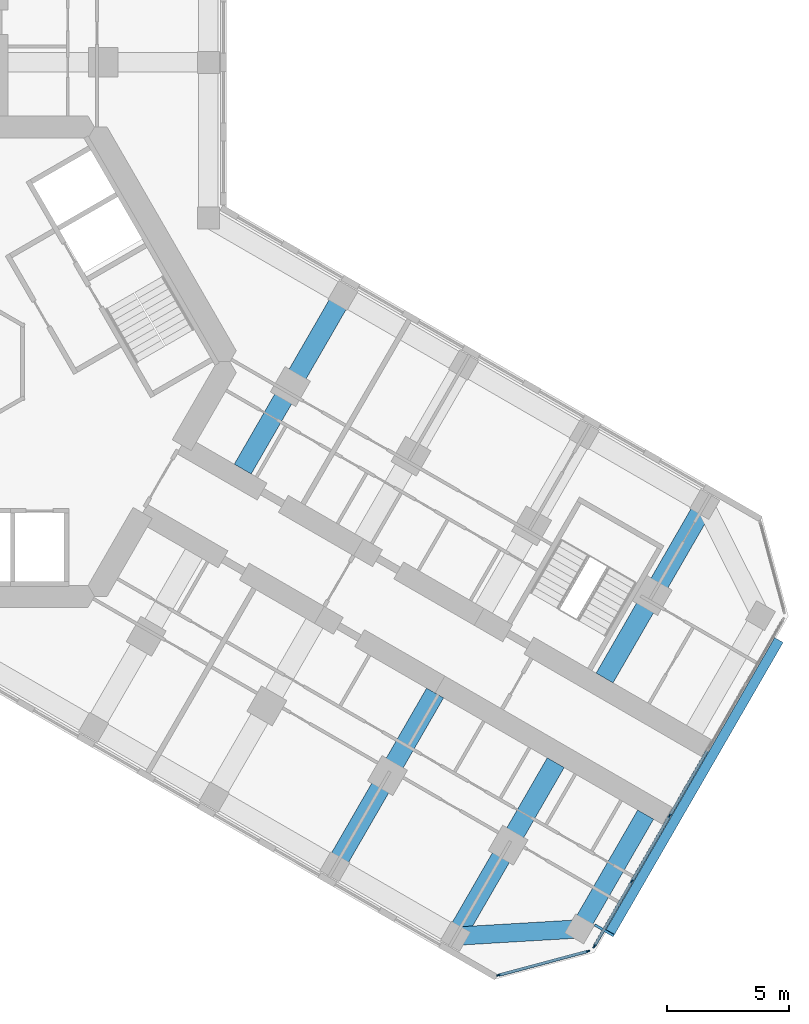
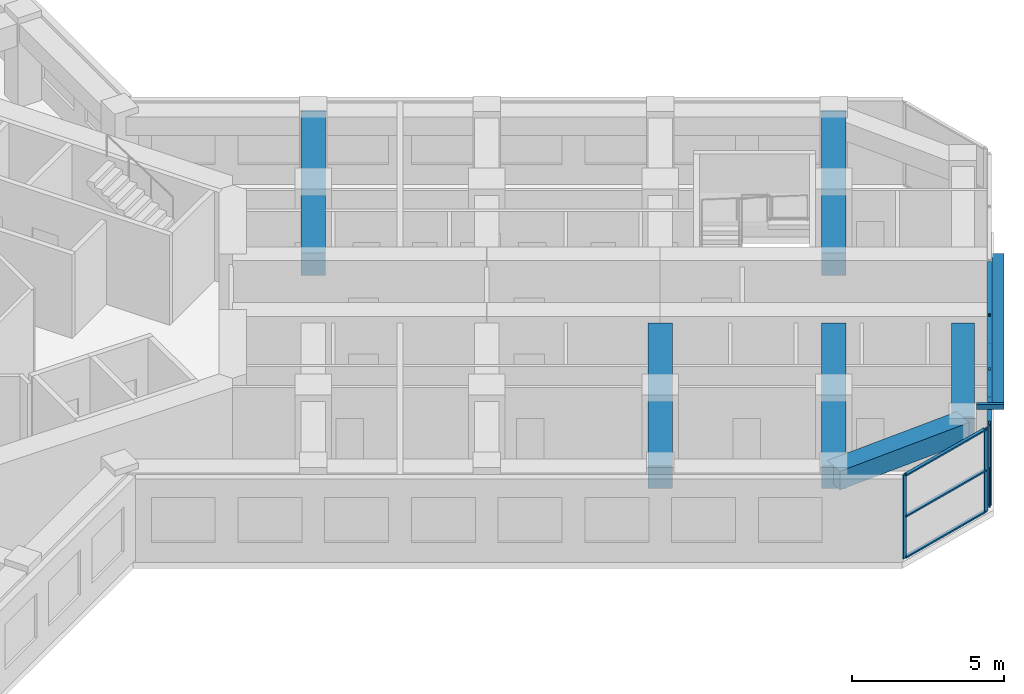
# One storey, part 5 of 19: 16 members, 6 beams, 2 elements without a shape of their own.
"""IFC4 building model written with IfcOpenShell, lengths in metres."""

from ifc_helpers import new_model, si_unit, direction, frame, origin, origin_2d, place, context, subcontext, project, spatial, rectangle, hollow_rectangle, extrude, material, material_profile, profile_set, type_object, element, aggregate, save


model = new_model("IFC4")

# Units and contexts
model_context = context("Model", 3, precision=1e-05, world=origin(), true_north=direction((0.0, 1.0)))
body_context = subcontext(model_context, "Body", "Model", "MODEL_VIEW")
ifc_project = project(units=[si_unit("LENGTHUNIT", "METRE"), si_unit("AREAUNIT", "SQUARE_METRE"), si_unit("VOLUMEUNIT", "CUBIC_METRE"), si_unit("PLANEANGLEUNIT", "RADIAN"), si_unit("MASSUNIT", "GRAM", prefix="KILO")], contexts=[model_context])

# Site, building, storey
site_placement = place(None, origin())
site = spatial("IfcSite", under=ifc_project, at=site_placement, CompositionType="ELEMENT")
building_placement = place(site_placement, origin())
building = spatial("IfcBuilding", under=site, at=building_placement, Name="Kosmar Iwan School Tower", CompositionType="ELEMENT")
storey_placement = place(building_placement, frame((0.0, 0.0, 149.0)))
storey = spatial("IfcBuildingStorey", under=building, at=storey_placement, Name="L37", CompositionType="ELEMENT", Elevation=149.0)

# Members
ifc_material_1 = material(Name="Black anodised aluminium", Category="aluminium")
ifc_material_profile_1 = material_profile(ifc_material_1, rectangle(XDim=0.10009765625, YDim=0.39990234375, at=origin_2d()), Name="FIN 100x400")
ifc_profile_set_1 = profile_set([ifc_material_profile_1], Name="Black anodised aluminium")
member_type_1 = type_object("IfcMemberType", Name="Diagonal fin 100x400", PredefinedType="USERDEFINED", material=ifc_profile_set_1)
member_1_placement = place(storey_placement, frame((33.54345703125, -11.40087890625, -0.14990234375), z_axis=(-0.483795538458, -0.837973939202, 0.252470897702), x_axis=(0.126233699175, 0.218647221293, 0.967604488318)))
element("IfcMember", 1, at=member_1_placement, inside=storey, type_object=member_type_1, Name="Diagonal fin L37-F03", ObjectType="FIN", PredefinedType="USERDEFINED", context=body_context, shape_type="SweptSolid", body=[
    extrude(rectangle(XDim=0.10009765625, YDim=0.39990234375, at=origin_2d()), origin(), (0.0, 0.0, 1.0), 14.258544921875),
])
ifc_material_2 = material(Name="Steel S355", Category="steel")
ifc_material_profile_2 = material_profile(ifc_material_2, hollow_rectangle(XDim=0.10009765625, YDim=0.199951171875, WallThickness=0.008056640625, at=origin_2d()), Name="RHS 200x100x8")
ifc_profile_set_2 = profile_set([ifc_material_profile_2], Name="Steel S355")
member_type_2 = type_object("IfcMemberType", Name="Fin bracket RHS 200x100", PredefinedType="USERDEFINED", material=ifc_profile_set_2)
member_2_placement = place(storey_placement, frame((26.01318359375, -23.0439453125, 3.47509765625), z_axis=(0.866013897511, -0.50001992892, 0.0), x_axis=(0.50001992892, 0.866013897511, 0.0)))
element("IfcMember", 2, at=member_2_placement, inside=storey, type_object=member_type_2, Name="Fin bracket L38", ObjectType="FIN BRACKET", PredefinedType="USERDEFINED", context=body_context, shape_type="SweptSolid", body=[
    extrude(hollow_rectangle(XDim=0.10009765625, YDim=0.199951171875, WallThickness=0.008056640625, at=origin_2d()), origin(), (0.0, 0.0, 1.0), 0.89990234375),
])

# Curtain wall, members
ifc_material_3 = material(Name="Dark glass in black aluminium frame", Category="aluminium")
curtain_wall_type_1 = type_object("IfcCurtainWallType", Name="Chamfer curtain wall dark glass", PredefinedType="USERDEFINED", material=ifc_material_3)
curtain_wall_1_placement = place(storey_placement, origin())
curtain_wall_1 = element("IfcCurtainWall", 3, at=curtain_wall_1_placement, inside=storey, type_object=curtain_wall_type_1, Name="Curtain wall L37-F02", ObjectType="FACETED CURTAIN WALL", PredefinedType="USERDEFINED")
ifc_material_4 = material(Name="Black anodised aluminium", Category="aluminium")
ifc_material_profile_3 = material_profile(ifc_material_4, rectangle(XDim=0.06005859375, YDim=0.159912109375, at=origin_2d()), Name="MULLION 60x160")
ifc_profile_set_3 = profile_set([ifc_material_profile_3], Name="Black anodised aluminium")
member_type_3 = type_object("IfcMemberType", Name="Mullion 60x160", PredefinedType="MULLION", material=ifc_profile_set_3)
member_3_placement = place(storey_placement, frame((22.0830078125, -25.102294921875, 0.0), z_axis=(0.0, 0.0, 1.0), x_axis=(-0.258818861462, 0.965925875495, 0.0)))
member_3 = element("IfcMember", 4, at=member_3_placement, type_object=member_type_3, Name="CW2 mullion 1", PredefinedType="MULLION", context=body_context, shape_type="SweptSolid", body=[
    extrude(rectangle(XDim=0.06005859375, YDim=0.159912109375, at=origin_2d()), origin(), (0.0, 0.0, 1.0), 3.35009765625),
])
member_4_placement = place(storey_placement, frame((25.733154296875, -24.124267578125, 0.0), z_axis=(0.0, 0.0, 1.0), x_axis=(-0.258818861462, 0.965925875495, 0.0)))
member_4 = element("IfcMember", 5, at=member_4_placement, type_object=member_type_3, Name="CW2 mullion 2", PredefinedType="MULLION", context=body_context, shape_type="SweptSolid", body=[
    extrude(rectangle(XDim=0.06005859375, YDim=0.159912109375, at=origin_2d()), origin(), (0.0, 0.0, 1.0), 3.35009765625),
])

ifc_material_5 = material(Name="Dark glass in black aluminium frame", Category="aluminium")
curtain_wall_type_2 = type_object("IfcCurtainWallType", Name="Tower curtain wall dark glass", PredefinedType="USERDEFINED", material=ifc_material_5)
curtain_wall_2_placement = place(storey_placement, origin())
curtain_wall_2 = element("IfcCurtainWall", 6, at=curtain_wall_2_placement, inside=storey, type_object=curtain_wall_type_2, Name="Curtain wall L37-F03", ObjectType="UNITISED CURTAIN WALL", PredefinedType="USERDEFINED")
member_5_placement = place(storey_placement, frame((25.9970703125, -23.921630859375, 0.0), z_axis=(0.0, 0.0, 1.0), x_axis=(-0.866025405329, 0.499999997325, 0.0)))
member_5 = element("IfcMember", 7, at=member_5_placement, type_object=member_type_3, Name="CW1 mullion 1", PredefinedType="MULLION", context=body_context, shape_type="SweptSolid", body=[
    extrude(rectangle(XDim=0.06005859375, YDim=0.159912109375, at=origin_2d()), origin(), (0.0, 0.0, 1.0), 3.35009765625),
])
member_6_placement = place(storey_placement, frame((27.53173828125, -21.263671875, 0.0), z_axis=(0.0, 0.0, 1.0), x_axis=(-0.866025405329, 0.499999997325, 0.0)))
member_6 = element("IfcMember", 8, at=member_6_placement, type_object=member_type_3, Name="CW1 mullion 2", PredefinedType="MULLION", context=body_context, shape_type="SweptSolid", body=[
    extrude(rectangle(XDim=0.06005859375, YDim=0.159912109375, at=origin_2d()), origin(), (0.0, 0.0, 1.0), 3.35009765625),
])
member_7_placement = place(storey_placement, frame((29.081298828125, -18.57958984375, 0.0), z_axis=(0.0, 0.0, 1.0), x_axis=(-0.866025405329, 0.499999997325, 0.0)))
member_7 = element("IfcMember", 9, at=member_7_placement, type_object=member_type_3, Name="CW1 mullion 3", PredefinedType="MULLION", context=body_context, shape_type="SweptSolid", body=[
    extrude(rectangle(XDim=0.06005859375, YDim=0.159912109375, at=origin_2d()), origin(), (0.0, 0.0, 1.0), 3.35009765625),
])

# Beams
ifc_material_6 = material(Name="Concrete C50/60", Category="concrete")
ifc_material_profile_4 = material_profile(ifc_material_6, rectangle(XDim=0.75, YDim=0.75, at=origin_2d()), Name="RC 750x750")
ifc_profile_set_4 = profile_set([ifc_material_profile_4], Name="Concrete C50/60")
beam_type_1 = type_object("IfcBeamType", Name="RC tip beam 750x750", PredefinedType="BEAM", material=ifc_profile_set_4)
beam_1_placement = place(storey_placement, frame((20.31787109375, -23.508544921875, 2.97509765625), z_axis=(0.998260616478, 0.058955420358, 0.0), x_axis=(-0.058955420358, 0.998260616478, 0.0)))
element("IfcBeam", 10, at=beam_1_placement, inside=storey, type_object=beam_type_1, Name="Tip beam CR", PredefinedType="BEAM", context=body_context, shape_type="SweptSolid", body=[
    extrude(rectangle(XDim=0.75, YDim=0.75, at=origin_2d()), origin(), (0.0, 0.0, 1.0), 5.08935546875),
])
beam_2_placement = place(storey_placement, frame((25.3984375, -23.20849609375, 2.97509765625), z_axis=(0.499995103361, 0.866028230842, 0.0), x_axis=(-0.866028230842, 0.499995103361, 0.0)))
element("IfcBeam", 11, at=beam_2_placement, inside=storey, type_object=beam_type_1, Name="Tip beam CR to corridor wall", PredefinedType="BEAM", context=body_context, shape_type="SweptSolid", body=[
    extrude(rectangle(XDim=0.75, YDim=0.75, at=origin_2d()), origin(), (0.0, 0.0, 1.0), 5.39990234375),
])
ifc_material_7 = material(Name="Concrete C50/60", Category="concrete")
ifc_material_profile_5 = material_profile(ifc_material_7, rectangle(XDim=0.800048828125, YDim=0.89990234375, at=origin_2d()), Name="RC 800x900")
ifc_profile_set_5 = profile_set([ifc_material_profile_5], Name="Concrete C50/60")
beam_type_2 = type_object("IfcBeamType", Name="RC transverse beam 800x900", PredefinedType="BEAM", material=ifc_profile_set_5)
for number, where, z_axis, x_axis, name in (
    (12, (15.708740234375, 2.70849609375, 2.89990234375), (-0.499978459874, -0.866037839625, 0.0), (0.866037839625, -0.499978459874, 0.0), "Transverse beam CL1"),
    (13, (30.517822265625, -5.841552734375, 2.89990234375), (-0.500013681986, -0.866017504342, 0.0), (0.866017504342, -0.500013681986, 0.0), "Transverse beam CL4"),
    (14, (15.381591796875, -20.658447265625, 2.89990234375), (0.49999135188, 0.866030396721, 0.0), (-0.866030396721, 0.49999135188, 0.0), "Transverse beam CR3"),
    (15, (20.31787109375, -23.508544921875, 2.89990234375), (0.499978459874, 0.866037839625, 0.0), (-0.866037839625, 0.499978459874, 0.0), "Transverse beam CR4"),
):
    element("IfcBeam", number, at=place(storey_placement, frame(where, z_axis=z_axis, x_axis=x_axis)), inside=storey, type_object=beam_type_2, Name=name, PredefinedType="BEAM", context=body_context, shape_type="SweptSolid", body=[
        extrude(rectangle(XDim=0.800048828125, YDim=0.89990234375, at=origin_2d()), origin(), (0.0, 0.0, 1.0), 8.199951171875),
    ])

# Member
ifc_material_8 = material(Name="Black anodised aluminium", Category="aluminium")
ifc_material_profile_6 = material_profile(ifc_material_8, rectangle(XDim=0.1201171875, YDim=0.06005859375, at=origin_2d()), Name="TRANSOM 60x120")
ifc_profile_set_6 = profile_set([ifc_material_profile_6], Name="Black anodised aluminium")
member_type_4 = type_object("IfcMemberType", Name="Transom 60x120", PredefinedType="USERDEFINED", material=ifc_profile_set_6)
member_8_placement = place(storey_placement, frame((22.11181640625, -25.094482421875, 0.030029296875), z_axis=(0.965923731726, 0.258826861991, 0.0), x_axis=(-0.258826861991, 0.965923731726, 0.0)))
member_8 = element("IfcMember", 16, at=member_8_placement, type_object=member_type_4, Name="CW2 transom 1.1", ObjectType="TRANSOM", PredefinedType="USERDEFINED", context=body_context, shape_type="SweptSolid", body=[
    extrude(rectangle(XDim=0.1201171875, YDim=0.06005859375, at=origin_2d()), origin(), (0.0, 0.0, 1.0), 3.71923828125),
])

member_9_placement = place(storey_placement, frame((22.11181640625, -25.094482421875, 1.675048828125), z_axis=(0.965923731726, 0.258826861991, 0.0), x_axis=(-0.258826861991, 0.965923731726, 0.0)))
member_9 = element("IfcMember", 17, at=member_9_placement, type_object=member_type_4, Name="CW2 transom 1.2", ObjectType="TRANSOM", PredefinedType="USERDEFINED", context=body_context, shape_type="SweptSolid", body=[
    extrude(rectangle(XDim=0.1201171875, YDim=0.06005859375, at=origin_2d()), origin(), (0.0, 0.0, 1.0), 3.71923828125),
])

member_10_placement = place(storey_placement, frame((22.11181640625, -25.094482421875, 3.320068359375), z_axis=(0.965923731726, 0.258826861991, 0.0), x_axis=(-0.258826861991, 0.965923731726, 0.0)))
member_10 = element("IfcMember", 18, at=member_10_placement, type_object=member_type_4, Name="CW2 transom 1.3", ObjectType="TRANSOM", PredefinedType="USERDEFINED", context=body_context, shape_type="SweptSolid", body=[
    extrude(rectangle(XDim=0.1201171875, YDim=0.06005859375, at=origin_2d()), origin(), (0.0, 0.0, 1.0), 3.71923828125),
])

aggregate(curtain_wall_1, [member_3, member_4, member_8, member_9, member_10])

member_11_placement = place(storey_placement, frame((26.01220703125, -23.895751953125, 0.030029296875), z_axis=(0.499986971506, 0.866032925658, 0.0), x_axis=(-0.866032925658, 0.499986971506, 0.0)))
member_11 = element("IfcMember", 19, at=member_11_placement, type_object=member_type_4, Name="CW1 transom 1.1", ObjectType="TRANSOM", PredefinedType="USERDEFINED", context=body_context, shape_type="SweptSolid", body=[
    extrude(rectangle(XDim=0.1201171875, YDim=0.06005859375, at=origin_2d()), origin(), (0.0, 0.0, 1.0), 3.00927734375),
])

member_12_placement = place(storey_placement, frame((26.01220703125, -23.895751953125, 3.320068359375), z_axis=(0.499986971506, 0.866032925658, 0.0), x_axis=(-0.866032925658, 0.499986971506, 0.0)))
member_12 = element("IfcMember", 20, at=member_12_placement, type_object=member_type_4, Name="CW1 transom 1.2", ObjectType="TRANSOM", PredefinedType="USERDEFINED", context=body_context, shape_type="SweptSolid", body=[
    extrude(rectangle(XDim=0.1201171875, YDim=0.06005859375, at=origin_2d()), origin(), (0.0, 0.0, 1.0), 3.00927734375),
])

member_13_placement = place(storey_placement, frame((27.546875, -21.237548828125, 0.030029296875), z_axis=(0.499975102327, 0.866039777986, 0.0), x_axis=(-0.866039777986, 0.499975102327, 0.0)))
member_13 = element("IfcMember", 21, at=member_13_placement, type_object=member_type_4, Name="CW1 transom 2.1", ObjectType="TRANSOM", PredefinedType="USERDEFINED", context=body_context, shape_type="SweptSolid", body=[
    extrude(rectangle(XDim=0.1201171875, YDim=0.06005859375, at=origin_2d()), origin(), (0.0, 0.0, 1.0), 3.039306640625),
])

member_14_placement = place(storey_placement, frame((27.546875, -21.237548828125, 3.320068359375), z_axis=(0.499975102327, 0.866039777986, 0.0), x_axis=(-0.866039777986, 0.499975102327, 0.0)))
member_14 = element("IfcMember", 22, at=member_14_placement, type_object=member_type_4, Name="CW1 transom 2.2", ObjectType="TRANSOM", PredefinedType="USERDEFINED", context=body_context, shape_type="SweptSolid", body=[
    extrude(rectangle(XDim=0.1201171875, YDim=0.06005859375, at=origin_2d()), origin(), (0.0, 0.0, 1.0), 3.039306640625),
])

member_15_placement = place(storey_placement, frame((29.096435546875, -18.553466796875, 0.030029296875), z_axis=(0.499975102327, 0.866039777986, 0.0), x_axis=(-0.866039777986, 0.499975102327, 0.0)))
member_15 = element("IfcMember", 23, at=member_15_placement, type_object=member_type_4, Name="CW1 transom 3.1", ObjectType="TRANSOM", PredefinedType="USERDEFINED", context=body_context, shape_type="SweptSolid", body=[
    extrude(rectangle(XDim=0.1201171875, YDim=0.06005859375, at=origin_2d()), origin(), (0.0, 0.0, 1.0), 3.039306640625),
])

member_16_placement = place(storey_placement, frame((29.096435546875, -18.553466796875, 3.320068359375), z_axis=(0.499975102327, 0.866039777986, 0.0), x_axis=(-0.866039777986, 0.499975102327, 0.0)))
member_16 = element("IfcMember", 24, at=member_16_placement, type_object=member_type_4, Name="CW1 transom 3.2", ObjectType="TRANSOM", PredefinedType="USERDEFINED", context=body_context, shape_type="SweptSolid", body=[
    extrude(rectangle(XDim=0.1201171875, YDim=0.06005859375, at=origin_2d()), origin(), (0.0, 0.0, 1.0), 3.039306640625),
])

aggregate(curtain_wall_2, [member_5, member_6, member_7, member_11, member_12, member_13, member_14, member_15, member_16])

save(model, "model.ifc")
